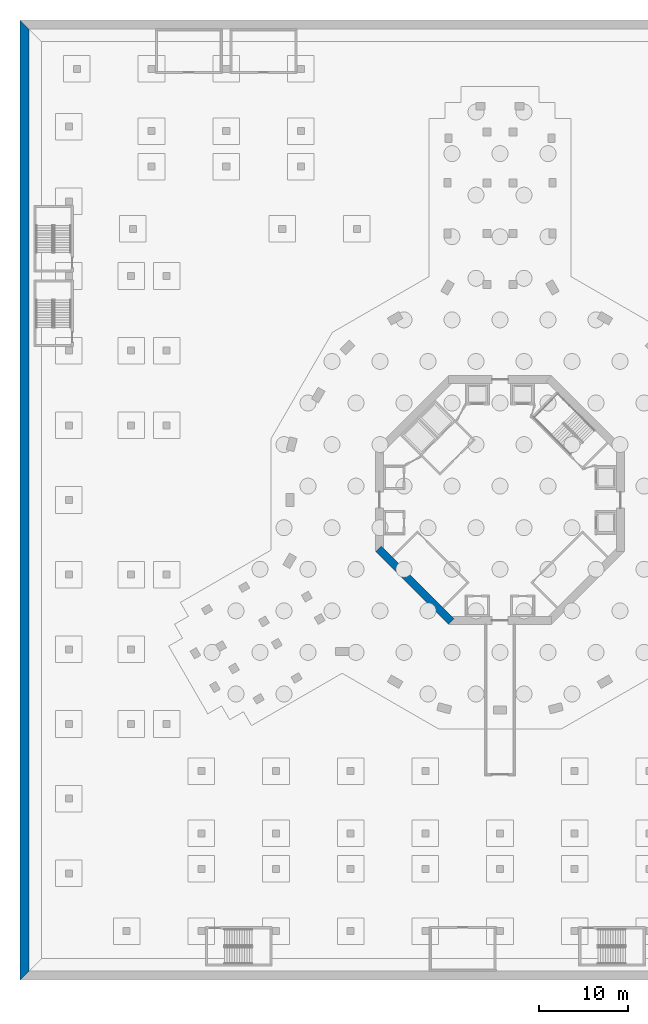
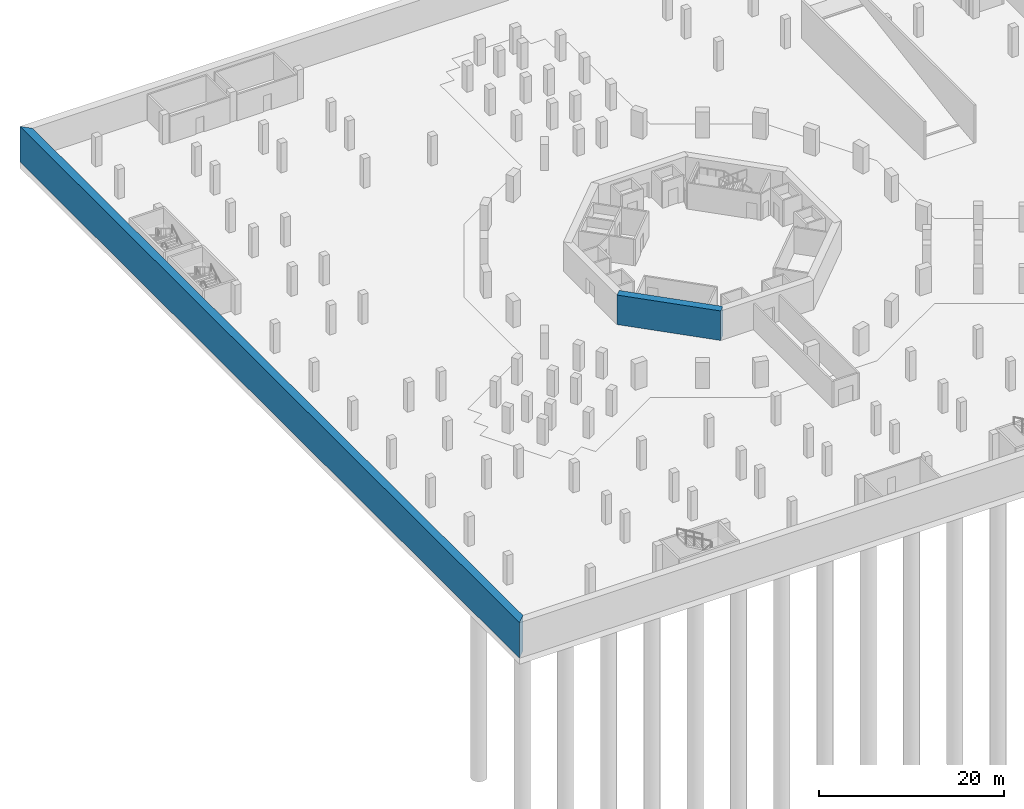
# One storey, part 7 of 27: 2 walls.
"""IFC4 building model written with IfcOpenShell, lengths in metres."""

from ifc_helpers import new_model, si_unit, direction, frame, frame_2d, origin, place, context, subcontext, project, spatial, polyline, rectangle, outline, extrude, material, layer, layer_set, type_object, element, save


model = new_model("IFC4")

# Units and contexts
model_context = context("Model", 3, precision=1e-05, world=origin(), true_north=direction((0.0, 1.0)))
body_context = subcontext(model_context, "Body", "Model", "MODEL_VIEW")
ifc_project = project(units=[si_unit("LENGTHUNIT", "METRE"), si_unit("AREAUNIT", "SQUARE_METRE"), si_unit("VOLUMEUNIT", "CUBIC_METRE"), si_unit("PLANEANGLEUNIT", "RADIAN"), si_unit("MASSUNIT", "GRAM", prefix="KILO")], contexts=[model_context])

# Site, building, storey
site_placement = place(None, origin())
site = spatial("IfcSite", under=ifc_project, at=site_placement, CompositionType="ELEMENT")
building_placement = place(site_placement, origin())
building = spatial("IfcBuilding", under=site, at=building_placement, Name="Verdalira Terraces Hotel", CompositionType="ELEMENT")
storey_placement = place(building_placement, frame((0.0, 0.0, -11.699951)))
storey = spatial("IfcBuildingStorey", under=building, at=storey_placement, Name="B3", CompositionType="ELEMENT", Elevation=-11.699951171875)

# Walls
ifc_material_1 = material(Name="Concrete C70", Category="concrete")
ifc_layer_1 = layer(ifc_material_1, 0.89990234375)
ifc_layer_set_1 = layer_set([ifc_layer_1], Name="Core wall 900 C70")
wall_type_1 = type_object("IfcWallType", Name="Core wall 900 C70", PredefinedType="SHEAR", material=ifc_layer_set_1)
wall_1_placement = place(storey_placement, frame((-13.681885, -5.480713, 0.0), z_axis=(0.0, 0.0, 1.0), x_axis=(0.707106781, -0.707106781, 0.0)))
element("IfcWall", 1, at=wall_1_placement, inside=storey, type_object=wall_type_1, Name="Core wall CW-B3-6", PredefinedType="SHEAR", context=body_context, shape_type="SweptSolid", body=[
    extrude(rectangle(XDim=11.598145, YDim=0.899902, at=frame_2d((5.799072, 0.0))), origin(), (0.0, 0.0, 1.0), 3.899902),
])
ifc_material_2 = material(Name="Concrete C40", Category="concrete")
ifc_layer_2 = layer(ifc_material_2, 1.0)
ifc_layer_set_2 = layer_set([ifc_layer_2], Name="Retaining wall from base slab 1000 C40")
wall_type_2 = type_object("IfcWallType", Name="Retaining wall from base slab 1000 C40", PredefinedType="SOLIDWALL", material=ifc_layer_set_2)
wall_2_placement = place(storey_placement, frame((0.0, 0.0, -0.800049)))
element("IfcWall", 2, at=wall_2_placement, inside=storey, type_object=wall_type_2, Name="Retaining wall B3 side 2", PredefinedType="SOLIDWALL", context=body_context, shape_type="SweptSolid", body=[
    extrude(outline(polyline([(-54.0, 54.0), (-54.0, -54.0), (-53.0, -53.0), (-53.0, 53.0), (-54.0, 54.0)])), origin(), (0.0, 0.0, 1.0), 4.699951),
])

save(model, "model.ifc")
